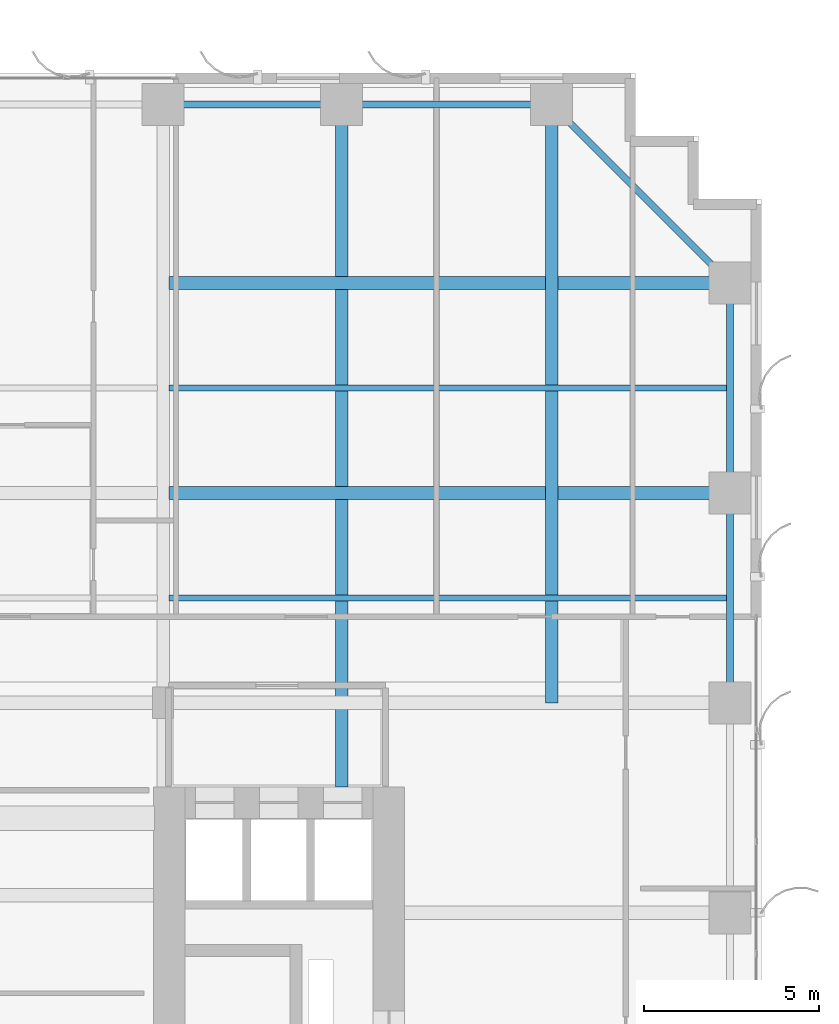
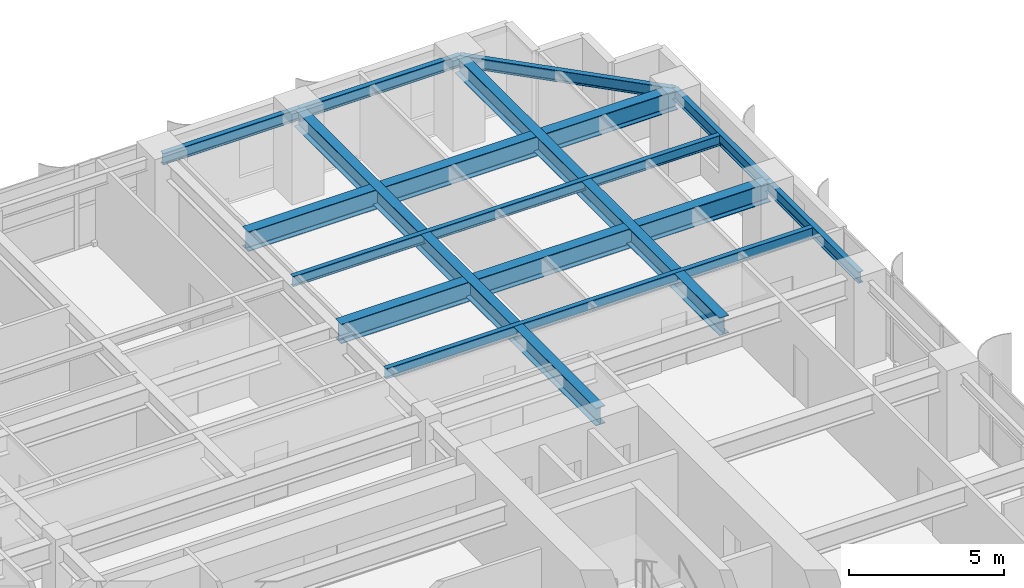
# One storey, part 12 of 23: 11 beams.
"""IFC4 building model written with IfcOpenShell, lengths in metres."""

from ifc_helpers import new_model, si_unit, direction, frame, origin, origin_2d, place, context, subcontext, project, spatial, i_section, extrude, source, transform, mapped, material, material_profile, profile_set, type_object, element, save


model = new_model("IFC4")

# Units and contexts
model_context = context("Model", 3, precision=1e-05, world=origin(), true_north=direction((0.0, 1.0)))
body_context = subcontext(model_context, "Body", "Model", "MODEL_VIEW")
ifc_project = project(units=[si_unit("LENGTHUNIT", "METRE"), si_unit("AREAUNIT", "SQUARE_METRE"), si_unit("VOLUMEUNIT", "CUBIC_METRE"), si_unit("PLANEANGLEUNIT", "RADIAN"), si_unit("MASSUNIT", "GRAM", prefix="KILO")], contexts=[model_context])

# Site, building, storey
site_placement = place(None, origin())
site = spatial("IfcSite", under=ifc_project, at=site_placement, CompositionType="ELEMENT")
building_placement = place(site_placement, origin())
building = spatial("IfcBuilding", under=site, at=building_placement, Name="Khoralis Quay Care Tower", CompositionType="ELEMENT")
storey_placement = place(building_placement, frame((0.0, 0.0, 36.89990234375)))
storey = spatial("IfcBuildingStorey", under=building, at=storey_placement, Name="L09", CompositionType="ELEMENT", Elevation=36.89990234375)

# Beams
ifc_material = material(Name="Steel S355", Category="steel")
ifc_material_profile_1 = material_profile(ifc_material, i_section(OverallWidth=0.18994140625, OverallDepth=0.449951171875, WebThickness=0.009521484375, FlangeThickness=0.0146484375, FilletRadius=0.02099609375, at=origin_2d()), Name="Steel S355")
ifc_profile_set_1 = profile_set([ifc_material_profile_1], Name="Steel S355")
beam_type_1 = type_object("IfcBeamType", Name="BM-IPE450", PredefinedType="SPANDREL", material=ifc_profile_set_1)
shared_shape_1 = source(origin(), body_context, "Body", "SweptSolid", [
    extrude(i_section(OverallWidth=0.18994140625, OverallDepth=0.449951171875, WebThickness=0.009521484375, FlangeThickness=0.0146484375, FilletRadius=0.02099609375, at=origin_2d()), origin(), (0.0, 0.0, 1.0), 6.0),
])
for number, where, z_axis, x_axis, name in (
    (1, (36.0, 47.10009765625, 3.09521484375), (1.0, 0.0, 0.0), (0.0, 1.0, 0.0), "BM-TSP-L09-12"),
    (2, (47.10009765625, 30.0, 3.09521484375), (0.0, 1.0, 0.0), (-1.0, 0.0, 0.0), "BM-TSP-L09-23"),
    (3, (47.10009765625, 36.0, 3.09521484375), (0.0, 1.0, 0.0), (-1.0, 0.0, 0.0), "BM-TSP-L09-24"),
):
    element("IfcBeam", number, at=place(storey_placement, frame(where, z_axis=z_axis, x_axis=x_axis)), inside=storey, type_object=beam_type_1, Name=name, PredefinedType="SPANDREL", context=body_context, shape_type="MappedRepresentation", body=[
        mapped(shared_shape_1, transform((0.0, 0.0, 0.0), scale=1.0)),
    ])
shared_shape_2 = source(origin(), body_context, "Body", "SweptSolid", [
    extrude(i_section(OverallWidth=0.18994140625, OverallDepth=0.449951171875, WebThickness=0.009521484375, FlangeThickness=0.0146484375, FilletRadius=0.02099609375, at=origin_2d()), origin(), (0.0, 0.0, 1.0), 5.10009765625),
])
beam_1_placement = place(storey_placement, frame((30.89990234375, 47.10009765625, 3.09521484375), z_axis=(1.0, 0.0, 0.0), x_axis=(0.0, 1.0, 0.0)))
element("IfcBeam", 4, at=beam_1_placement, inside=storey, type_object=beam_type_1, Name="BM-TSP-L09-11", PredefinedType="SPANDREL", context=body_context, shape_type="MappedRepresentation", body=[
    mapped(shared_shape_2, transform((0.0, 0.0, 0.0), scale=1.0)),
])
shared_shape_3 = source(origin(), body_context, "Body", "SweptSolid", [
    extrude(i_section(OverallWidth=0.18994140625, OverallDepth=0.449951171875, WebThickness=0.009521484375, FlangeThickness=0.0146484375, FilletRadius=0.02099609375, at=origin_2d()), origin(), (0.0, 0.0, 1.0), 7.212646484375),
])
beam_2_placement = place(storey_placement, frame((42.0, 47.10009765625, 3.09521484375), z_axis=(0.707106781187, -0.707106781187, 0.0), x_axis=(0.707106781187, 0.707106781187, 0.0)))
element("IfcBeam", 5, at=beam_2_placement, inside=storey, type_object=beam_type_1, Name="BM-TCR-L09-28", PredefinedType="SPANDREL", context=body_context, shape_type="MappedRepresentation", body=[
    mapped(shared_shape_3, transform((0.0, 0.0, 0.0), scale=1.0)),
])
ifc_material_profile_2 = material_profile(ifc_material, i_section(OverallWidth=0.381103515625, OverallDepth=0.77294921875, WebThickness=0.0166015625, FlangeThickness=0.027587890625, FilletRadius=0.02197265625, at=origin_2d()), Name="Steel S355")
ifc_profile_set_2 = profile_set([ifc_material_profile_2], Name="Steel S355")
beam_type_2 = type_object("IfcBeamType", Name="BM-W760X257", PredefinedType="BEAM", material=ifc_profile_set_2)
shared_shape_4 = source(origin(), body_context, "Body", "SweptSolid", [
    extrude(i_section(OverallWidth=0.381103515625, OverallDepth=0.77294921875, WebThickness=0.0166015625, FlangeThickness=0.027587890625, FilletRadius=0.02197265625, at=origin_2d()), origin(), (0.0, 0.0, 1.0), 16.03466796875),
])
for number, where, z_axis, x_axis, name in (
    (6, (31.0654296875, 36.0, 2.93359375), (1.0, 0.0, 0.0), (0.0, 1.0, 0.0), "BM-TGXE-L09-360"),
    (7, (31.0654296875, 42.0, 2.93359375), (1.0, 0.0, 0.0), (0.0, 1.0, 0.0), "BM-TGXE-L09-420"),
):
    element("IfcBeam", number, at=place(storey_placement, frame(where, z_axis=z_axis, x_axis=x_axis)), inside=storey, type_object=beam_type_2, Name=name, PredefinedType="BEAM", context=body_context, shape_type="MappedRepresentation", body=[
        mapped(shared_shape_4, transform((0.0, 0.0, 0.0), scale=1.0)),
    ])
ifc_material_profile_3 = material_profile(ifc_material, i_section(OverallWidth=0.35498046875, OverallDepth=0.695068359375, WebThickness=0.015380859375, FlangeThickness=0.02490234375, FilletRadius=0.02001953125, at=origin_2d()), Name="Steel S355")
ifc_profile_set_3 = profile_set([ifc_material_profile_3], Name="Steel S355")
beam_type_3 = type_object("IfcBeamType", Name="BM-W690X217", PredefinedType="BEAM", material=ifc_profile_set_3)
shared_shape_5 = source(origin(), body_context, "Body", "SweptSolid", [
    extrude(i_section(OverallWidth=0.35498046875, OverallDepth=0.695068359375, WebThickness=0.015380859375, FlangeThickness=0.02490234375, FilletRadius=0.02001953125, at=origin_2d()), origin(), (0.0, 0.0, 1.0), 17.10009765625),
])
beam_3_placement = place(storey_placement, frame((42.0, 30.0, 2.97265625), z_axis=(0.0, 1.0, 0.0), x_axis=(-1.0, 0.0, 0.0)))
element("IfcBeam", 8, at=beam_3_placement, inside=storey, type_object=beam_type_3, Name="BM-TGYN-L09-420", PredefinedType="BEAM", context=body_context, shape_type="MappedRepresentation", body=[
    mapped(shared_shape_5, transform((0.0, 0.0, 0.0), scale=1.0)),
])
shared_shape_6 = source(origin(), body_context, "Body", "SweptSolid", [
    extrude(i_section(OverallWidth=0.35498046875, OverallDepth=0.695068359375, WebThickness=0.015380859375, FlangeThickness=0.02490234375, FilletRadius=0.02001953125, at=origin_2d()), origin(), (0.0, 0.0, 1.0), 19.502197265625),
])
beam_4_placement = place(storey_placement, frame((36.0, 27.597900390625, 2.97265625), z_axis=(0.0, 1.0, 0.0), x_axis=(-1.0, 0.0, 0.0)))
element("IfcBeam", 9, at=beam_4_placement, inside=storey, type_object=beam_type_3, Name="BM-TGYN-L09-360", PredefinedType="BEAM", context=body_context, shape_type="MappedRepresentation", body=[
    mapped(shared_shape_6, transform((0.0, 0.0, 0.0), scale=1.0)),
])
ifc_material_profile_4 = material_profile(ifc_material, i_section(OverallWidth=0.177978515625, OverallDepth=0.406982421875, WebThickness=0.0078125, FlangeThickness=0.0126953125, FilletRadius=0.012939453125, at=origin_2d()), Name="Steel S355")
ifc_profile_set_4 = profile_set([ifc_material_profile_4], Name="Steel S355")
beam_type_4 = type_object("IfcBeamType", Name="BM-W410X60", PredefinedType="JOIST", material=ifc_profile_set_4)
shared_shape_7 = source(origin(), body_context, "Body", "SweptSolid", [
    extrude(i_section(OverallWidth=0.177978515625, OverallDepth=0.406982421875, WebThickness=0.0078125, FlangeThickness=0.0126953125, FilletRadius=0.012939453125, at=origin_2d()), origin(), (0.0, 0.0, 1.0), 15.95361328125),
])
for number, where, z_axis, x_axis, name in (
    (10, (31.0654296875, 33.0, 3.11669921875), (1.0, 0.0, 0.0), (0.0, 1.0, 0.0), "BM-TJS-L09-33"),
    (11, (31.0654296875, 39.0, 3.11669921875), (1.0, 0.0, 0.0), (0.0, 1.0, 0.0), "BM-TJS-L09-36"),
):
    element("IfcBeam", number, at=place(storey_placement, frame(where, z_axis=z_axis, x_axis=x_axis)), inside=storey, type_object=beam_type_4, Name=name, PredefinedType="JOIST", context=body_context, shape_type="MappedRepresentation", body=[
        mapped(shared_shape_7, transform((0.0, 0.0, 0.0), scale=1.0)),
    ])

save(model, "model.ifc")
